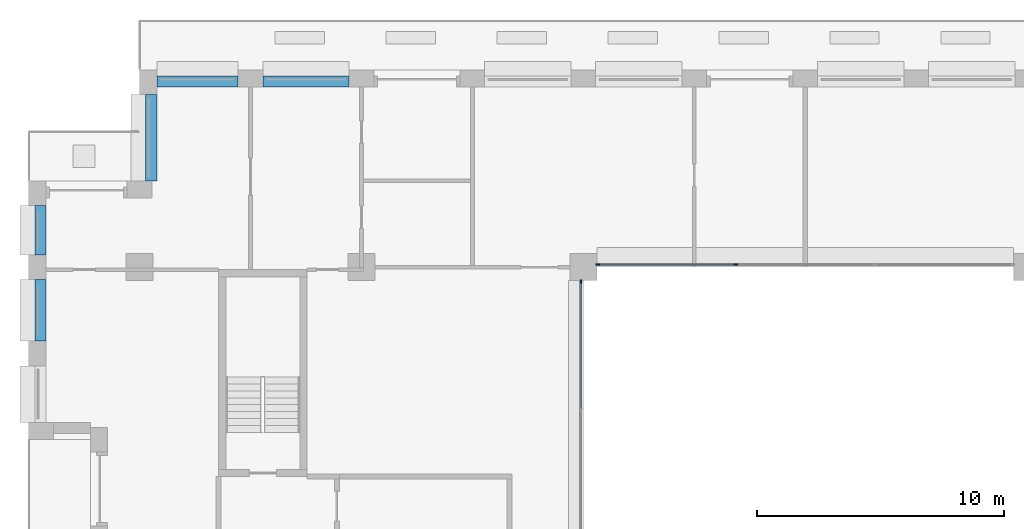
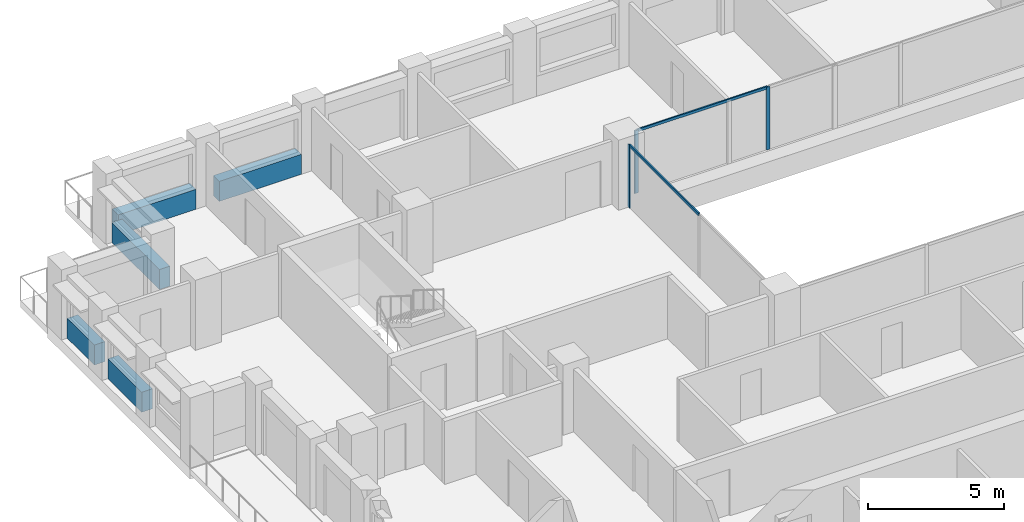
# One storey, part 5 of 17: 5 beams, 5 members, 2 elements without a shape of their own.
"""IFC4 building model written with IfcOpenShell, lengths in metres."""

from ifc_helpers import new_model, si_unit, direction, frame, origin, origin_2d, place, context, subcontext, project, spatial, rectangle, extrude, material, layer, layer_set, material_profile, profile_set, type_object, element, aggregate, save


model = new_model("IFC4")

# Units and contexts
model_context = context("Model", 3, precision=1e-05, world=origin(), true_north=direction((0.0, 1.0)))
body_context = subcontext(model_context, "Body", "Model", "MODEL_VIEW")
ifc_project = project(units=[si_unit("LENGTHUNIT", "METRE"), si_unit("AREAUNIT", "SQUARE_METRE"), si_unit("VOLUMEUNIT", "CUBIC_METRE"), si_unit("PLANEANGLEUNIT", "RADIAN"), si_unit("MASSUNIT", "GRAM", prefix="KILO")], contexts=[model_context])

# Site, building, storey
site_placement = place(None, origin())
site = spatial("IfcSite", under=ifc_project, at=site_placement, CompositionType="ELEMENT")
building_placement = place(site_placement, origin())
building = spatial("IfcBuilding", under=site, at=building_placement, Name="Brigalow Station Residences", CompositionType="ELEMENT")
storey_placement = place(building_placement, frame((0.0, 0.0, 141.300048828125)))
storey = spatial("IfcBuildingStorey", under=building, at=storey_placement, Name="L40", CompositionType="ELEMENT", Elevation=141.300048828125)

# Curtain wall, members
ifc_material_1 = material(Name="Aluminium", Category="aluminium")
ifc_layer = layer(ifc_material_1, 0.14990234375)
ifc_layer_set = layer_set([ifc_layer], Name="ATRIUM FIRE-RATED GLAZING CURTAIN WALL")
curtain_wall_type = type_object("IfcCurtainWallType", Name="ATRIUM FIRE-RATED GLAZING CURTAIN WALL", PredefinedType="NOTDEFINED", material=ifc_layer_set)
curtain_wall_1_placement = place(storey_placement, origin())
curtain_wall_1 = element("IfcCurtainWall", 1, at=curtain_wall_1_placement, inside=storey, type_object=curtain_wall_type, Name="L40/cw/atrium-N", PredefinedType="NOTDEFINED")
ifc_material_2 = material(Name="Aluminium", Category="aluminium")
ifc_material_profile_1 = material_profile(ifc_material_2, rectangle(XDim=0.06005859375, YDim=0.14990234375, at=origin_2d()), Name="ATRIUM FIRE-RATED GLAZING MULLION 60x150")
ifc_profile_set_1 = profile_set([ifc_material_profile_1], Name="Aluminium")
member_type_1 = type_object("IfcMemberType", Name="ATRIUM FIRE-RATED GLAZING MULLION 60x150", PredefinedType="MULLION", material=ifc_profile_set_1)
member_1_placement = place(storey_placement, frame((33.183349609375, 35.60009765625, 0.0), z_axis=(0.0, 0.0, 1.0), x_axis=(0.0, -1.0, 0.0)))
member_1 = element("IfcMember", 2, at=member_1_placement, type_object=member_type_1, Name="L40/cw/atrium-N/M02", PredefinedType="MULLION", context=body_context, shape_type="SweptSolid", body=[
    extrude(rectangle(XDim=0.06005859375, YDim=0.14990234375, at=origin_2d()), origin(), (0.0, 0.0, 1.0), 2.829833984375),
])
member_2_placement = place(storey_placement, frame((27.580078125, 35.60009765625, 0.0), z_axis=(0.0, 0.0, 1.0), x_axis=(0.0, -1.0, 0.0)))
member_2 = element("IfcMember", 3, at=member_2_placement, type_object=member_type_1, Name="L40/cw/atrium-N/M03", PredefinedType="MULLION", context=body_context, shape_type="SweptSolid", body=[
    extrude(rectangle(XDim=0.06005859375, YDim=0.14990234375, at=origin_2d()), origin(), (0.0, 0.0, 1.0), 2.829833984375),
])

# Curtain wall, member
curtain_wall_2_placement = place(storey_placement, origin())
curtain_wall_2 = element("IfcCurtainWall", 4, at=curtain_wall_2_placement, inside=storey, type_object=curtain_wall_type, Name="L40/cw/atrium-W", PredefinedType="NOTDEFINED")
member_3_placement = place(storey_placement, frame((26.89990234375, 34.919921875, 0.0), z_axis=(0.0, 0.0, 1.0), x_axis=(1.0, 0.0, 0.0)))
member_3 = element("IfcMember", 5, at=member_3_placement, type_object=member_type_1, Name="L40/cw/atrium-W/M00", PredefinedType="MULLION", context=body_context, shape_type="SweptSolid", body=[
    extrude(rectangle(XDim=0.06005859375, YDim=0.14990234375, at=origin_2d()), origin(), (0.0, 0.0, 1.0), 2.829833984375),
])

# Member
ifc_material_3 = material(Name="Aluminium", Category="aluminium")
ifc_material_profile_2 = material_profile(ifc_material_3, rectangle(XDim=0.06005859375, YDim=0.1201171875, at=origin_2d()), Name="ATRIUM FIRE-RATED GLAZING TRANSOM 60x120")
ifc_profile_set_2 = profile_set([ifc_material_profile_2], Name="Aluminium")
member_type_2 = type_object("IfcMemberType", Name="ATRIUM FIRE-RATED GLAZING TRANSOM 60x120", PredefinedType="USERDEFINED", material=ifc_profile_set_2)
member_4_placement = place(storey_placement, frame((33.1533203125, 35.60009765625, 2.800048828125), z_axis=(-1.0, 0.0, 0.0), x_axis=(0.0, -1.0, 0.0)))
member_4 = element("IfcMember", 6, at=member_4_placement, type_object=member_type_2, Name="L40/cw/atrium-N/T02-00", ObjectType="TRANSOM", PredefinedType="USERDEFINED", context=body_context, shape_type="SweptSolid", body=[
    extrude(rectangle(XDim=0.06005859375, YDim=0.1201171875, at=origin_2d()), origin(), (0.0, 0.0, 1.0), 5.543212890625),
])

aggregate(curtain_wall_1, [member_1, member_2, member_4])

member_5_placement = place(storey_placement, frame((26.89990234375, 34.889892578125, 2.800048828125), z_axis=(0.0, -1.0, 0.0), x_axis=(1.0, 0.0, 0.0)))
member_5 = element("IfcMember", 7, at=member_5_placement, type_object=member_type_2, Name="L40/cw/atrium-W/T00-00", ObjectType="TRANSOM", PredefinedType="USERDEFINED", context=body_context, shape_type="SweptSolid", body=[
    extrude(rectangle(XDim=0.06005859375, YDim=0.1201171875, at=origin_2d()), origin(), (0.0, 0.0, 1.0), 5.10986328125),
])

aggregate(curtain_wall_2, [member_3, member_5])

# Beams
ifc_material_4 = material(Name="Concrete C50", Category="concrete")
ifc_material_profile_3 = material_profile(ifc_material_4, rectangle(XDim=0.449951171875, YDim=0.89990234375, at=origin_2d()), Name="RC450x900")
ifc_profile_set_3 = profile_set([ifc_material_profile_3], Name="Concrete C50")
beam_type = type_object("IfcBeamType", Name="SPANDREL BEAM 450x900 C50", PredefinedType="SPANDREL", material=ifc_profile_set_3)
beam_1_placement = place(storey_placement, frame((17.5, 43.02490234375, 0.449951171875), z_axis=(-1.0, 0.0, 0.0), x_axis=(0.0, -1.0, 0.0)))
element("IfcBeam", 8, at=beam_1_placement, inside=storey, type_object=beam_type, Name="L40/spandrel/W-L40-33", PredefinedType="SPANDREL", context=body_context, shape_type="SweptSolid", body=[
    extrude(rectangle(XDim=0.449951171875, YDim=0.89990234375, at=origin_2d()), origin(), (0.0, 0.0, 1.0), 3.5),
])
beam_2_placement = place(storey_placement, frame((13.0, 43.02490234375, 0.449951171875), z_axis=(-1.0, 0.0, 0.0), x_axis=(0.0, -1.0, 0.0)))
element("IfcBeam", 9, at=beam_2_placement, inside=storey, type_object=beam_type, Name="L40/spandrel/W-L40-34", PredefinedType="SPANDREL", context=body_context, shape_type="SweptSolid", body=[
    extrude(rectangle(XDim=0.449951171875, YDim=0.89990234375, at=origin_2d()), origin(), (0.0, 0.0, 1.0), 3.300048828125),
])
beam_3_placement = place(storey_placement, frame((9.47509765625, 42.5, 0.449951171875), z_axis=(0.0, -1.0, 0.0), x_axis=(1.0, 0.0, 0.0)))
element("IfcBeam", 10, at=beam_3_placement, inside=storey, type_object=beam_type, Name="L40/spandrel/W-L40-35", PredefinedType="SPANDREL", context=body_context, shape_type="SweptSolid", body=[
    extrude(rectangle(XDim=0.449951171875, YDim=0.89990234375, at=origin_2d()), origin(), (0.0, 0.0, 1.0), 3.5),
])
beam_4_placement = place(storey_placement, frame((4.97509765625, 38.0, 0.449951171875), z_axis=(0.0, -1.0, 0.0), x_axis=(1.0, 0.0, 0.0)))
element("IfcBeam", 11, at=beam_4_placement, inside=storey, type_object=beam_type, Name="L40/spandrel/W-L40-37", PredefinedType="SPANDREL", context=body_context, shape_type="SweptSolid", body=[
    extrude(rectangle(XDim=0.449951171875, YDim=0.89990234375, at=origin_2d()), origin(), (0.0, 0.0, 1.0), 2.0),
])
beam_5_placement = place(storey_placement, frame((4.97509765625, 35.0, 0.449951171875), z_axis=(0.0, -1.0, 0.0), x_axis=(1.0, 0.0, 0.0)))
element("IfcBeam", 12, at=beam_5_placement, inside=storey, type_object=beam_type, Name="L40/spandrel/W-L40-38", PredefinedType="SPANDREL", context=body_context, shape_type="SweptSolid", body=[
    extrude(rectangle(XDim=0.449951171875, YDim=0.89990234375, at=origin_2d()), origin(), (0.0, 0.0, 1.0), 2.5),
])

save(model, "model.ifc")
